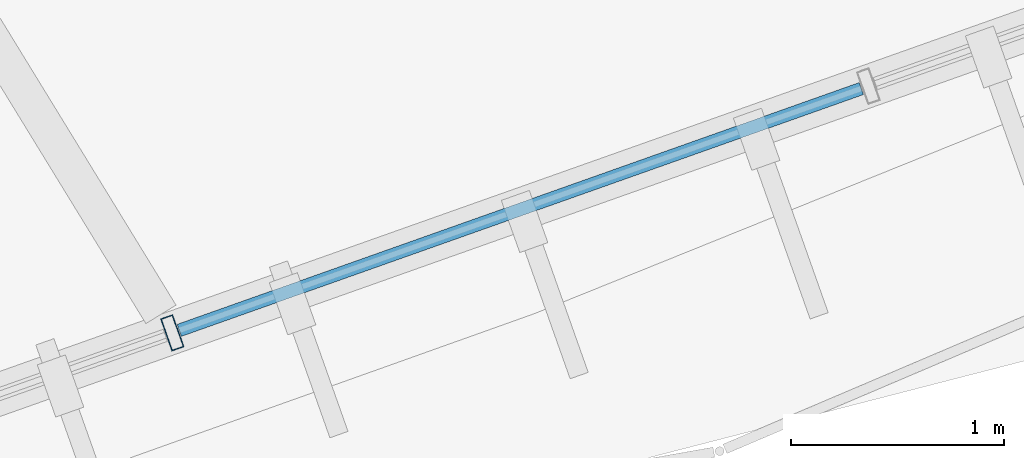
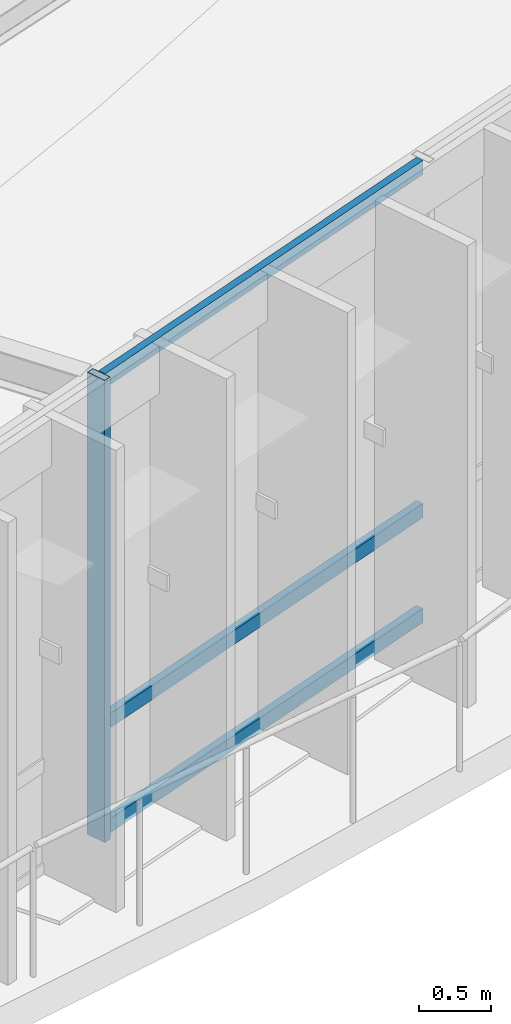
# One storey, part 43 of 79: 4 members, 1 element without a shape of its own.
"""IFC4 building model written with IfcOpenShell, lengths in metres."""

from ifc_helpers import new_model, si_unit, direction, frame, origin, origin_2d, place, context, subcontext, project, spatial, hollow_rectangle, extrude, material, material_profile, profile_set, type_object, element, aggregate, save


model = new_model("IFC4")

# Units and contexts
model_context = context("Model", 3, precision=1e-05, world=origin(), true_north=direction((0.0, 1.0)))
body_context = subcontext(model_context, "Body", "Model", "MODEL_VIEW")
ifc_project = project(units=[si_unit("LENGTHUNIT", "METRE"), si_unit("AREAUNIT", "SQUARE_METRE"), si_unit("VOLUMEUNIT", "CUBIC_METRE"), si_unit("PLANEANGLEUNIT", "RADIAN"), si_unit("MASSUNIT", "GRAM", prefix="KILO"), si_unit("THERMODYNAMICTEMPERATUREUNIT", "KELVIN"), si_unit("POWERUNIT", "WATT")], contexts=[model_context])

# Site, building, storey
site_placement = place(None, origin())
site = spatial("IfcSite", under=ifc_project, at=site_placement, CompositionType="ELEMENT")
building_placement = place(site_placement, origin())
building = spatial("IfcBuilding", under=site, at=building_placement, Name="Darbajah Civic Hall", CompositionType="ELEMENT")
storey_placement = place(building_placement, frame((0.0, 0.0, 22.199951171875)))
storey = spatial("IfcBuildingStorey", under=building, at=storey_placement, Name="L05", CompositionType="ELEMENT", Elevation=22.199951171875)

# Curtain wall, members
ifc_material_1 = material(Name="Anodised Bronze Aluminium and Low-E Glazing", Category="aluminium")
curtain_wall_type = type_object("IfcCurtainWallType", Name="Unitised Curtain Wall CW-85 13900x3900", PredefinedType="USERDEFINED", material=ifc_material_1)
curtain_wall_placement = place(storey_placement, origin())
curtain_wall = element("IfcCurtainWall", 1, at=curtain_wall_placement, inside=storey, type_object=curtain_wall_type, Name="L05 unitised curtain wall CW-V1O-L05-16", ObjectType="UNITISED CURTAIN WALL", PredefinedType="USERDEFINED")
ifc_material_2 = material(Name="Anodised Bronze Aluminium", Category="aluminium")
ifc_material_profile_1 = material_profile(ifc_material_2, hollow_rectangle(XDim=0.06005859375, YDim=0.159912109375, WallThickness=0.00341796875, at=origin_2d()), Name="ALU MULLION 60x160")
ifc_profile_set_1 = profile_set([ifc_material_profile_1], Name="Anodised Bronze Aluminium")
member_type_1 = type_object("IfcMemberType", Name="ALU MULLION 60x160", PredefinedType="MULLION", material=ifc_profile_set_1)
member_1_placement = place(storey_placement, frame((115.41943359375, 64.956787109375, 0.0), z_axis=(0.0, 0.0, 1.0), x_axis=(0.94252491309, 0.334135882844, 0.0)))
member_1 = element("IfcMember", 2, at=member_1_placement, type_object=member_type_1, Name="CW-V1O-L05-16 mullion 3", PredefinedType="MULLION", context=body_context, shape_type="SweptSolid", body=[
    extrude(hollow_rectangle(XDim=0.06005859375, YDim=0.159912109375, WallThickness=0.00341796875, at=origin_2d()), origin(), (0.0, 0.0, 1.0), 3.920166015625),
])
ifc_material_profile_2 = material_profile(ifc_material_2, hollow_rectangle(XDim=0.06005859375, YDim=0.1201171875, WallThickness=0.003173828125, at=origin_2d()), Name="ALU TRANSOM 60x120")
ifc_profile_set_2 = profile_set([ifc_material_profile_2], Name="Anodised Bronze Aluminium")
member_type_2 = type_object("IfcMemberType", Name="ALU TRANSOM 60x120", PredefinedType="USERDEFINED", material=ifc_profile_set_2)
member_2_placement = place(storey_placement, frame((115.452392578125, 64.968505859375, 0.06005859375), z_axis=(0.942532091079, 0.334115634602, 0.0), x_axis=(-0.334115634602, 0.942532091079, 0.0)))
member_2 = element("IfcMember", 3, at=member_2_placement, type_object=member_type_2, Name="CW-V1O-L05-16 transom 3.1", ObjectType="TRANSOM", PredefinedType="USERDEFINED", context=body_context, shape_type="SweptSolid", body=[
    extrude(hollow_rectangle(XDim=0.06005859375, YDim=0.1201171875, WallThickness=0.003173828125, at=origin_2d()), origin(), (0.0, 0.0, 1.0), 3.39990234375),
])
member_3_placement = place(storey_placement, frame((115.452392578125, 64.968505859375, 0.949951171875), z_axis=(0.942532091079, 0.334115634602, 0.0), x_axis=(-0.334115634602, 0.942532091079, 0.0)))
member_3 = element("IfcMember", 4, at=member_3_placement, type_object=member_type_2, Name="CW-V1O-L05-16 transom 3.2", ObjectType="TRANSOM", PredefinedType="USERDEFINED", context=body_context, shape_type="SweptSolid", body=[
    extrude(hollow_rectangle(XDim=0.06005859375, YDim=0.1201171875, WallThickness=0.003173828125, at=origin_2d()), origin(), (0.0, 0.0, 1.0), 3.39990234375),
])
member_4_placement = place(storey_placement, frame((115.452392578125, 64.968505859375, 3.860107421875), z_axis=(0.942532091079, 0.334115634602, 0.0), x_axis=(-0.334115634602, 0.942532091079, 0.0)))
member_4 = element("IfcMember", 5, at=member_4_placement, type_object=member_type_2, Name="CW-V1O-L05-16 transom 3.3", ObjectType="TRANSOM", PredefinedType="USERDEFINED", context=body_context, shape_type="SweptSolid", body=[
    extrude(hollow_rectangle(XDim=0.06005859375, YDim=0.1201171875, WallThickness=0.003173828125, at=origin_2d()), origin(), (0.0, 0.0, 1.0), 3.39990234375),
])
aggregate(curtain_wall, [member_1, member_2, member_3, member_4])

save(model, "model.ifc")
